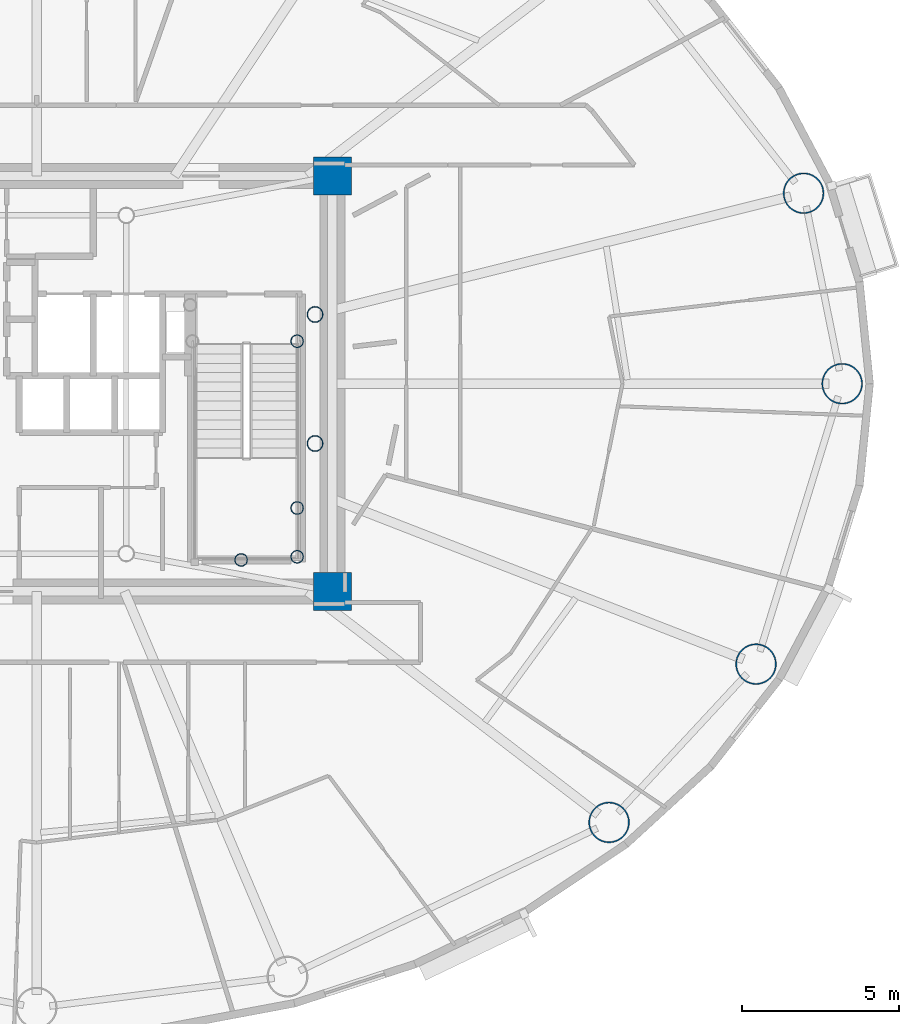
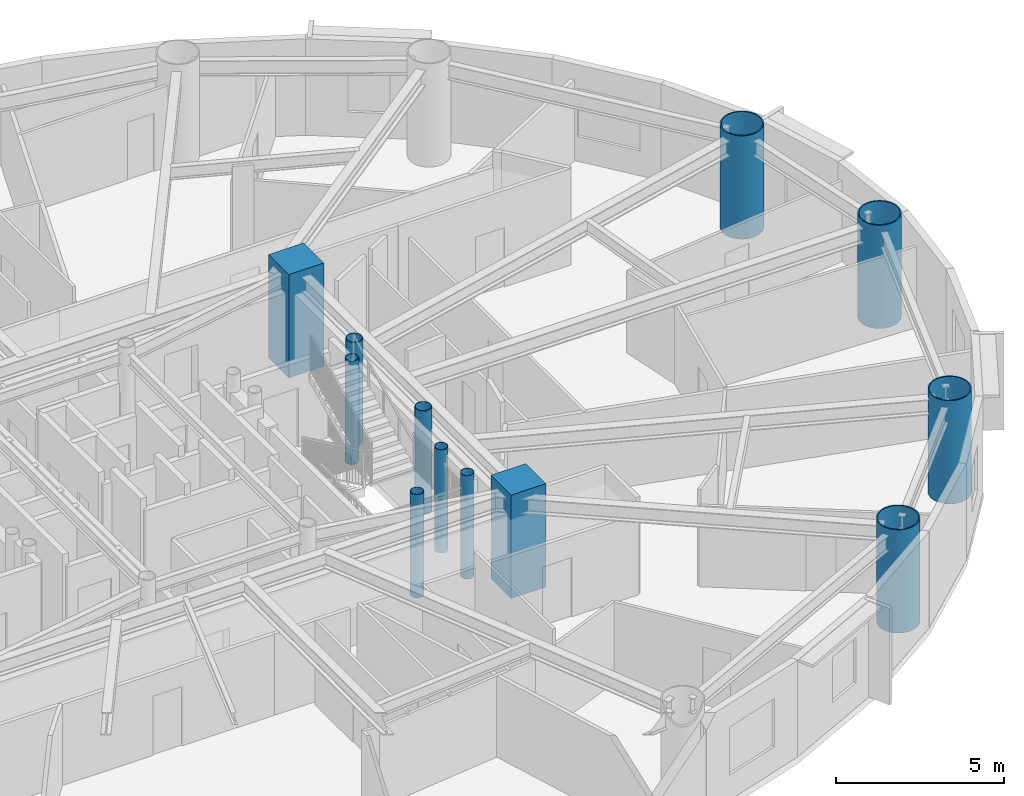
# One storey, part 2 of 18: 12 columns.
"""IFC4 building model written with IfcOpenShell, lengths in metres."""

from ifc_helpers import new_model, si_unit, direction, frame, origin, origin_2d, place, context, subcontext, project, spatial, rectangle, hollow_circle, extrude, material, material_profile, profile_set, type_object, element, save


model = new_model("IFC4")

# Units and contexts
model_context = context("Model", 3, precision=1e-05, world=origin(), true_north=direction((0.0, 1.0)))
body_context = subcontext(model_context, "Body", "Model", "MODEL_VIEW")
ifc_project = project(units=[si_unit("LENGTHUNIT", "METRE"), si_unit("AREAUNIT", "SQUARE_METRE"), si_unit("VOLUMEUNIT", "CUBIC_METRE"), si_unit("PLANEANGLEUNIT", "RADIAN"), si_unit("MASSUNIT", "GRAM", prefix="KILO")], contexts=[model_context])

# Site, building, storey
site_placement = place(None, origin())
site = spatial("IfcSite", under=ifc_project, at=site_placement, CompositionType="ELEMENT")
building_placement = place(site_placement, origin())
building = spatial("IfcBuilding", under=site, at=building_placement, Name="Linh Dai School and Residence Tower", CompositionType="ELEMENT")
storey_placement = place(building_placement, frame((0.0, 0.0, 178.64990234375)))
storey = spatial("IfcBuildingStorey", under=building, at=storey_placement, Name="L43", CompositionType="ELEMENT", Elevation=178.64990234375)

# Columns
ifc_material_1 = material(Name="Concrete B60 (C50/60)", Category="concrete")
ifc_material_profile_1 = material_profile(ifc_material_1, rectangle(XDim=1.199951171875, YDim=1.199951171875, at=origin_2d()), Name="RC 1200x1200")
ifc_profile_set_1 = profile_set([ifc_material_profile_1], Name="Concrete B60 (C50/60)")
column_type_1 = type_object("IfcColumnType", Name="COL-CC2", PredefinedType="COLUMN", material=ifc_profile_set_1)
for number, where, z_axis, x_axis, name in (
    (1, (45.39990234375, 20.39990234375, 0.0), (0.0, 0.0, 1.0), (1.0, 0.0, 0.0), "L43 Core Corner Pier CC2"),
    (2, (45.39990234375, 33.60009765625, 0.0), (0.0, 0.0, 1.0), (1.0, 0.0, 0.0), "L43 Core Corner Pier CC3"),
):
    element("IfcColumn", number, at=place(storey_placement, frame(where, z_axis=z_axis, x_axis=x_axis)), inside=storey, type_object=column_type_1, Name=name, PredefinedType="COLUMN", context=body_context, shape_type="SweptSolid", body=[
        extrude(rectangle(XDim=1.199951171875, YDim=1.199951171875, at=origin_2d()), origin(), (0.0, 0.0, 1.0), 3.75),
    ])
ifc_material_2 = material(Name="Structural Steel S355JR", Category="steel")
ifc_material_profile_2 = material_profile(ifc_material_2, hollow_circle(Radius=0.203125, WallThickness=0.01611328125, at=origin_2d()), Name="CHS 406.4x16")
ifc_profile_set_2 = profile_set([ifc_material_profile_2], Name="Structural Steel S355JR")
column_type_2 = type_object("IfcColumnType", Name="COL-EC", PredefinedType="COLUMN", material=ifc_profile_set_2)
for number, where, z_axis, x_axis, name in (
    (3, (44.280029296875, 21.5, 0.0), (0.0, 0.0, 1.0), (1.0, 0.0, 0.0), "L43 Stair Shaft Landing Support Pier ST2SE"),
    (4, (44.280029296875, 23.050048828125, 0.0), (0.0, 0.0, 1.0), (1.0, 0.0, 0.0), "L43 Stair Shaft Landing Support Pier ST2NE"),
    (5, (42.5, 21.39990234375, 0.0), (0.0, 0.0, 1.0), (1.0, 0.0, 0.0), "L43 Stair Shaft Landing Support Pier ST2MS"),
    (6, (44.280029296875, 28.35009765625, 0.0), (0.0, 0.0, 1.0), (1.0, 0.0, 0.0), "L43 Stair Shaft Landing Support Pier ST2N2"),
):
    element("IfcColumn", number, at=place(storey_placement, frame(where, z_axis=z_axis, x_axis=x_axis)), inside=storey, type_object=column_type_2, Name=name, PredefinedType="COLUMN", context=body_context, shape_type="SweptSolid", body=[
        extrude(hollow_circle(Radius=0.203125, WallThickness=0.01611328125, at=origin_2d()), origin(), (0.0, 0.0, 1.0), 3.75),
    ])
ifc_material_profile_3 = material_profile(ifc_material_2, hollow_circle(Radius=0.64990234375, WallThickness=0.0400390625, at=origin_2d()), Name="CHS 1300x40")
ifc_profile_set_3 = profile_set([ifc_material_profile_3], Name="Structural Steel S355JR")
column_type_3 = type_object("IfcColumnType", Name="COL-MC4", PredefinedType="COLUMN", material=ifc_profile_set_3)
for number, where, z_axis, x_axis, name in (
    (7, (61.60009765625, 27.0, 0.0), (0.0, 0.0, 1.0), (1.0, 0.0, 0.0), "L43 Perimeter CFT Mega-Column MC01"),
    (8, (60.37451171875, 33.053466796875, 0.0), (0.0, 0.0, 1.0), (1.0, 0.0, 0.0), "L43 Perimeter CFT Mega-Column MC02"),
    (9, (54.1923828125, 13.058349609375, 0.0), (0.0, 0.0, 1.0), (1.0, 0.0, 0.0), "L43 Perimeter CFT Mega-Column MC15"),
    (10, (58.862548828125, 18.0888671875, 0.0), (0.0, 0.0, 1.0), (1.0, 0.0, 0.0), "L43 Perimeter CFT Mega-Column MC16"),
):
    element("IfcColumn", number, at=place(storey_placement, frame(where, z_axis=z_axis, x_axis=x_axis)), inside=storey, type_object=column_type_3, Name=name, PredefinedType="COLUMN", context=body_context, shape_type="SweptSolid", body=[
        extrude(hollow_circle(Radius=0.64990234375, WallThickness=0.0400390625, at=origin_2d()), origin(), (0.0, 0.0, 1.0), 3.75),
    ])
ifc_material_profile_4 = material_profile(ifc_material_2, hollow_circle(Radius=0.25390625, WallThickness=0.02001953125, at=origin_2d()), Name="CHS 508x20")
ifc_profile_set_4 = profile_set([ifc_material_profile_4], Name="Structural Steel S355JR")
column_type_4 = type_object("IfcColumnType", Name="COL-MCP", PredefinedType="COLUMN", material=ifc_profile_set_4)
for number, where, z_axis, x_axis, name in (
    (11, (44.85009765625, 25.10009765625, 0.0), (0.0, 0.0, 1.0), (1.0, 0.0, 0.0), "L43 Sky-Lounge Core Anchor Pier S"),
    (12, (44.85009765625, 29.199951171875, 0.0), (0.0, 0.0, 1.0), (1.0, 0.0, 0.0), "L43 Sky-Lounge Core Anchor Pier N"),
):
    element("IfcColumn", number, at=place(storey_placement, frame(where, z_axis=z_axis, x_axis=x_axis)), inside=storey, type_object=column_type_4, Name=name, PredefinedType="COLUMN", context=body_context, shape_type="SweptSolid", body=[
        extrude(hollow_circle(Radius=0.25390625, WallThickness=0.02001953125, at=origin_2d()), origin(), (0.0, 0.0, 1.0), 3.75),
    ])

save(model, "model.ifc")
